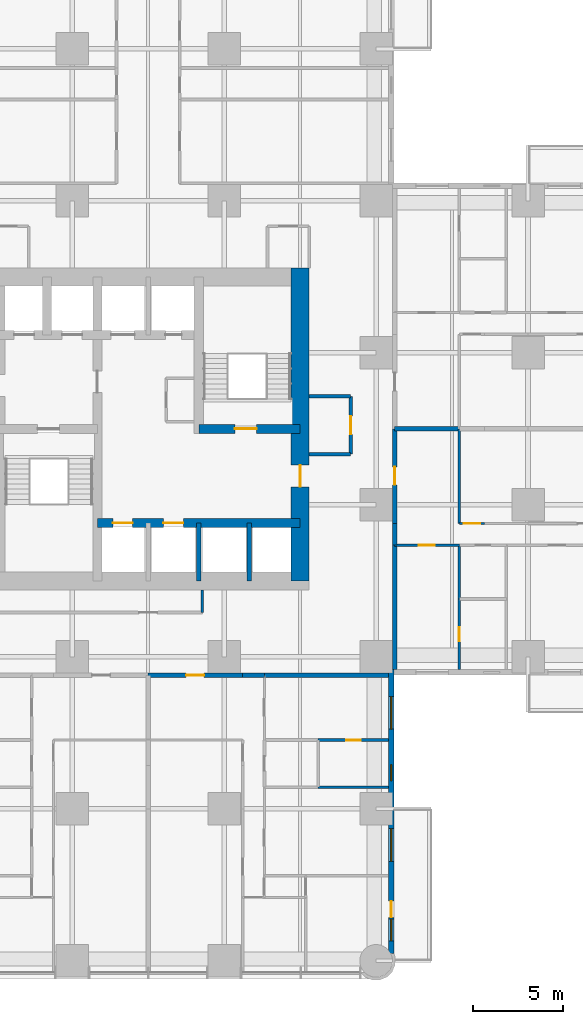
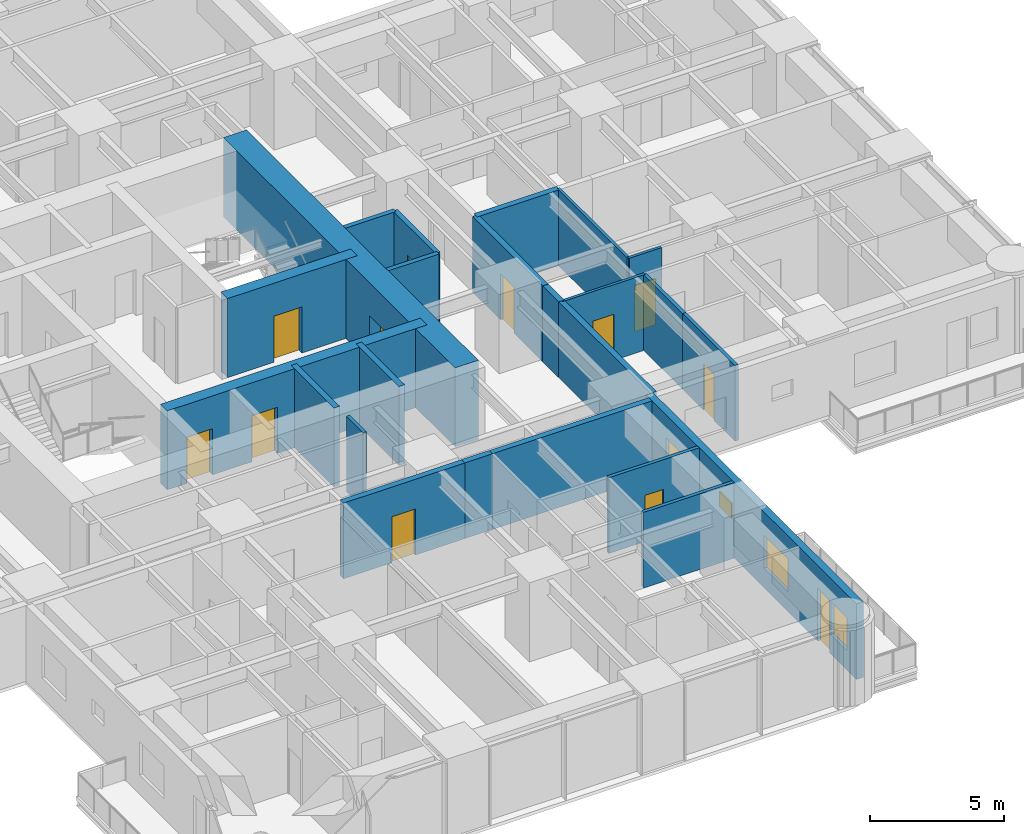
# One storey, part 10 of 17: 24 walls, 12 doors, 4 windows, 16 openings.
"""IFC4 building model written with IfcOpenShell, lengths in metres."""

from ifc_helpers import new_model, si_unit, direction, frame, frame_2d, origin, place, context, subcontext, project, spatial, rectangle, extrude, material, layer, layer_set, type_object, element, fill, save


model = new_model("IFC4")

# Units and contexts
model_context = context("Model", 3, precision=1e-05, world=origin(), true_north=direction((0.0, 1.0)))
body_context = subcontext(model_context, "Body", "Model", "MODEL_VIEW")
ifc_project = project(units=[si_unit("LENGTHUNIT", "METRE"), si_unit("AREAUNIT", "SQUARE_METRE"), si_unit("VOLUMEUNIT", "CUBIC_METRE"), si_unit("PLANEANGLEUNIT", "RADIAN"), si_unit("MASSUNIT", "GRAM", prefix="KILO")], contexts=[model_context])

# Site, building, storey
site_placement = place(None, origin())
site = spatial("IfcSite", under=ifc_project, at=site_placement, CompositionType="ELEMENT")
building_placement = place(site_placement, origin())
building = spatial("IfcBuilding", under=site, at=building_placement, Name="Torre Alcanfor", CompositionType="ELEMENT")
storey_placement = place(building_placement, frame((0.0, 0.0, 38.10009765625)))
storey = spatial("IfcBuildingStorey", under=building, at=storey_placement, Name="L08", CompositionType="ELEMENT", Elevation=38.10009765625)

# Wall, opening, door
ifc_material_1 = material(Name="Concrete block masonry, hollow blocks NMX-C-404 9 MPa", Category="masonry")
ifc_layer_1 = layer(ifc_material_1, 0.25)
ifc_layer_set_1 = layer_set([ifc_layer_1], Name="Apartment entrance wall 250 EI 60")
wall_type_1 = type_object("IfcWallType", Name="Apartment entrance wall 250 EI 60", PredefinedType="PARTITIONING", material=ifc_layer_set_1)
wall_1_placement = place(storey_placement, frame((43.02490234375, 29.39990234375, 0.0), z_axis=(0.0, 0.0, 1.0), x_axis=(0.0, -1.0, 0.0)))
wall_1 = element("IfcWall", 1, at=wall_1_placement, inside=storey, type_object=wall_type_1, Name="Partition L08-CORR / L08-E2-ZAG", PredefinedType="PARTITIONING", context=body_context, shape_type="SweptSolid", body=[
    extrude(rectangle(XDim=5.22900390625, YDim=0.25, at=frame_2d((2.614501953125, 0.0))), origin(), (0.0, 0.0, 1.0), 3.449951171875),
])
opening_1_placement = place(wall_1_placement, frame((2.10009765625, 0.0, 0.0)))
opening_1 = element("IfcOpeningElement", 2, at=opening_1_placement, cuts=wall_1, Name="Opening D-A1", PredefinedType="OPENING", context=body_context, shape_type="SweptSolid", body=[
    extrude(rectangle(XDim=1.0, YDim=2.10009765625, at=frame_2d((0.5, 1.050048828125))), frame((0.0, 0.135009765625, 0.0), z_axis=(0.0, -1.0, 0.0), x_axis=(1.0, 0.0, 0.0)), (0.0, 0.0, 1.0), 0.27001953125),
])
ifc_material_2 = material(Name="Galvanised steel sheet ASTM A653", Category="steel")
door_type_1 = type_object("IfcDoorType", Name="Apartment entrance door FD60 1000x2100", OperationType="SINGLE_SWING_LEFT", PredefinedType="DOOR", material=ifc_material_2)
door_1_placement = place(opening_1_placement, origin())
door_1 = element("IfcDoor", 3, at=door_1_placement, inside=storey, type_object=door_type_1, Name="Apartment entrance L08-E2", OperationType="SINGLE_SWING_LEFT", OverallHeight=2.10009765625, OverallWidth=1.0, PredefinedType="DOOR", context=body_context, shape_type="SweptSolid", body=[
    extrude(rectangle(XDim=1.0, YDim=2.10009765625, at=frame_2d((0.5, 1.050048828125))), frame((0.0, 0.02490234375, 0.0), z_axis=(0.0, -1.0, 0.0), x_axis=(1.0, 0.0, 0.0)), (0.0, 0.0, 1.0), 0.050048828125),
])
fill(opening_1, door_1)

# Walls
wall_2_placement = place(storey_placement, frame((43.02490234375, 24.1708984375, 0.0), z_axis=(0.0, 0.0, 1.0), x_axis=(0.0, -1.0, 0.0)))
element("IfcWall", 4, at=wall_2_placement, inside=storey, type_object=wall_type_1, Name="Partition L08-CORR / L08-E2-HALL", PredefinedType="PARTITIONING", context=body_context, shape_type="SweptSolid", body=[
    extrude(rectangle(XDim=1.199951171875, YDim=0.25, at=frame_2d((0.60009765625, 0.0))), origin(), (0.0, 0.0, 1.0), 3.449951171875),
])
wall_3_placement = place(storey_placement, frame((43.02490234375, 22.970947265625, 0.0), z_axis=(0.0, 0.0, 1.0), x_axis=(0.0, -1.0, 0.0)))
element("IfcWall", 5, at=wall_3_placement, inside=storey, type_object=wall_type_1, Name="Partition L08-CORR / L08-E2-SERV", PredefinedType="PARTITIONING", context=body_context, shape_type="SweptSolid", body=[
    extrude(rectangle(XDim=6.870849609375, YDim=0.25, at=frame_2d((3.435546875, 0.0))), origin(), (0.0, 0.0, 1.0), 3.449951171875),
])

# Wall, opening, door
wall_4_placement = place(storey_placement, frame((34.62890625, 15.77490234375, 0.0), z_axis=(0.0, 0.0, 1.0), x_axis=(-1.0, 0.0, 0.0)))
wall_4 = element("IfcWall", 6, at=wall_4_placement, inside=storey, type_object=wall_type_1, Name="Partition L08-CORR / L08-S1-ZAG", PredefinedType="PARTITIONING", context=body_context, shape_type="SweptSolid", body=[
    extrude(rectangle(XDim=5.22900390625, YDim=0.25, at=frame_2d((2.614501953125, 0.0))), origin(), (0.0, 0.0, 1.0), 3.449951171875),
])
opening_2_placement = place(wall_4_placement, frame((2.12890625, 0.0, 0.0)))
opening_2 = element("IfcOpeningElement", 7, at=opening_2_placement, cuts=wall_4, Name="Opening D-A1", PredefinedType="OPENING", context=body_context, shape_type="SweptSolid", body=[
    extrude(rectangle(XDim=1.0, YDim=2.10009765625, at=frame_2d((0.5, 1.050048828125))), frame((0.0, 0.135009765625, 0.0), z_axis=(0.0, -1.0, 0.0), x_axis=(1.0, 0.0, 0.0)), (0.0, 0.0, 1.0), 0.27001953125),
])
door_2_placement = place(opening_2_placement, origin())
door_2 = element("IfcDoor", 8, at=door_2_placement, inside=storey, type_object=door_type_1, Name="Apartment entrance L08-S1", OperationType="SINGLE_SWING_RIGHT", OverallHeight=2.10009765625, OverallWidth=1.0, PredefinedType="DOOR", context=body_context, shape_type="SweptSolid", body=[
    extrude(rectangle(XDim=1.0, YDim=2.10009765625, at=frame_2d((0.5, 1.050048828125))), frame((0.0, 0.02490234375, 0.0), z_axis=(0.0, -1.0, 0.0), x_axis=(1.0, 0.0, 0.0)), (0.0, 0.0, 1.0), 0.050048828125),
])
fill(opening_2, door_2)

# Walls
wall_5_placement = place(storey_placement, frame((35.8291015625, 15.77490234375, 0.0), z_axis=(0.0, 0.0, 1.0), x_axis=(-1.0, 0.0, 0.0)))
element("IfcWall", 9, at=wall_5_placement, inside=storey, type_object=wall_type_1, Name="Partition L08-CORR / L08-S1-HALL", PredefinedType="PARTITIONING", context=body_context, shape_type="SweptSolid", body=[
    extrude(rectangle(XDim=1.2001953125, YDim=0.25, at=frame_2d((0.60009765625, 0.0))), origin(), (0.0, 0.0, 1.0), 3.449951171875),
])
wall_6_placement = place(storey_placement, frame((42.699951171875, 15.77490234375, 0.0), z_axis=(0.0, 0.0, 1.0), x_axis=(-1.0, 0.0, 0.0)))
element("IfcWall", 10, at=wall_6_placement, inside=storey, type_object=wall_type_1, Name="Partition L08-CORR / L08-S1-SERV", PredefinedType="PARTITIONING", context=body_context, shape_type="SweptSolid", body=[
    extrude(rectangle(XDim=6.870849609375, YDim=0.25, at=frame_2d((3.435546875, 0.0))), origin(), (0.0, 0.0, 1.0), 3.449951171875),
])
ifc_material_3 = material(Name="Gypsum board on steel studs", Category="steel")
ifc_layer_2 = layer(ifc_material_3, 0.1201171875)
ifc_layer_set_2 = layer_set([ifc_layer_2], Name="Apartment partition 120")
wall_type_2 = type_object("IfcWallType", Name="Apartment partition 120", PredefinedType="PARTITIONING", material=ifc_layer_set_2)
wall_7_placement = place(storey_placement, frame((46.60009765625, 29.39990234375, 0.0), z_axis=(0.0, 0.0, 1.0), x_axis=(0.0, -1.0, 0.0)))
element("IfcWall", 11, at=wall_7_placement, inside=storey, type_object=wall_type_2, Name="Partition L08-E2-ZAG / L08-E2-LAUND", PredefinedType="PARTITIONING", context=body_context, shape_type="SweptSolid", body=[
    extrude(rectangle(XDim=5.22900390625, YDim=0.1201171875, at=frame_2d((2.614501953125, 0.0))), origin(), (0.0, 0.0, 1.0), 3.449951171875),
])

# Wall, opening, door
wall_8_placement = place(storey_placement, frame((48.0, 24.1708984375, 0.0), z_axis=(0.0, 0.0, 1.0), x_axis=(-1.0, 0.0, 0.0)))
wall_8 = element("IfcWall", 12, at=wall_8_placement, inside=storey, type_object=wall_type_2, Name="Partition L08-E2-LAUND / L08-E2-HALL", PredefinedType="PARTITIONING", context=body_context, shape_type="SweptSolid", body=[
    extrude(rectangle(XDim=1.39990234375, YDim=0.1201171875, at=frame_2d((0.699951171875, 0.0))), origin(), (0.0, 0.0, 1.0), 3.449951171875),
])
opening_3_placement = place(wall_8_placement, frame((0.25, 0.0, 0.0)))
opening_3 = element("IfcOpeningElement", 13, at=opening_3_placement, cuts=wall_8, Name="Opening D-R1", PredefinedType="OPENING", context=body_context, shape_type="SweptSolid", body=[
    extrude(rectangle(XDim=0.89990234375, YDim=2.10009765625, at=frame_2d((0.449951171875, 1.050048828125))), frame((0.0, 0.070068359375, 0.0), z_axis=(0.0, -1.0, 0.0), x_axis=(1.0, 0.0, 0.0)), (0.0, 0.0, 1.0), 0.14013671875),
])
ifc_material_4 = material(Name="Timber", Category="wood")
door_type_2 = type_object("IfcDoorType", Name="Internal door 900x2100", OperationType="SINGLE_SWING_LEFT", PredefinedType="DOOR", material=ifc_material_4)
door_3_placement = place(opening_3_placement, frame((0.89990234375, 0.0, 0.0), z_axis=(0.0, 0.0, 1.0), x_axis=(-1.0, 0.0, 0.0)))
door_3 = element("IfcDoor", 14, at=door_3_placement, inside=storey, type_object=door_type_2, Name="Door L08-E2 laund", OperationType="SINGLE_SWING_RIGHT", OverallHeight=2.10009765625, OverallWidth=0.89990234375, PredefinedType="DOOR", context=body_context, shape_type="SweptSolid", body=[
    extrude(rectangle(XDim=0.89990234375, YDim=2.10009765625, at=frame_2d((0.449951171875, 1.050048828125))), frame((0.0, 0.025146484375, 0.0), z_axis=(0.0, -1.0, 0.0), x_axis=(1.0, 0.0, 0.0)), (0.0, 0.0, 1.0), 0.050048828125),
])
fill(opening_3, door_3)

wall_9_placement = place(storey_placement, frame((46.60009765625, 22.970947265625, 0.0), z_axis=(0.0, 0.0, 1.0), x_axis=(-1.0, 0.0, 0.0)))
wall_9 = element("IfcWall", 15, at=wall_9_placement, inside=storey, type_object=wall_type_2, Name="Partition L08-E2-HALL / L08-E2-SERV", PredefinedType="PARTITIONING", context=body_context, shape_type="SweptSolid", body=[
    extrude(rectangle(XDim=3.5751953125, YDim=0.1201171875, at=frame_2d((1.78759765625, 0.0))), origin(), (0.0, 0.0, 1.0), 3.449951171875),
])
opening_4_placement = place(wall_9_placement, frame((1.35009765625, 0.0, 0.0)))
opening_4 = element("IfcOpeningElement", 16, at=opening_4_placement, cuts=wall_9, Name="Opening D-R1", PredefinedType="OPENING", context=body_context, shape_type="SweptSolid", body=[
    extrude(rectangle(XDim=0.89990234375, YDim=2.10009765625, at=frame_2d((0.449951171875, 1.050048828125))), frame((0.0, 0.070068359375, 0.0), z_axis=(0.0, -1.0, 0.0), x_axis=(1.0, 0.0, 0.0)), (0.0, 0.0, 1.0), 0.14013671875),
])
door_4_placement = place(opening_4_placement, origin())
door_4 = element("IfcDoor", 17, at=door_4_placement, inside=storey, type_object=door_type_2, Name="Door L08-E2 serv", OperationType="SINGLE_SWING_RIGHT", OverallHeight=2.10009765625, OverallWidth=0.89990234375, PredefinedType="DOOR", context=body_context, shape_type="SweptSolid", body=[
    extrude(rectangle(XDim=0.89990234375, YDim=2.10009765625, at=frame_2d((0.449951171875, 1.050048828125))), frame((0.0, 0.02490234375, 0.0), z_axis=(0.0, -1.0, 0.0), x_axis=(1.0, 0.0, 0.0)), (0.0, 0.0, 1.0), 0.050048828125),
])
fill(opening_4, door_4)

# Wall, openings, doors
ifc_material_5 = material(Name="Concrete f'c 70 MPa", Category="concrete")
ifc_layer_3 = layer(ifc_material_5, 0.5)
ifc_layer_set_3 = layer_set([ifc_layer_3], Name="Core inner wall 500 f'c70")
wall_type_3 = type_object("IfcWallType", Name="Core inner wall 500 f'c70", PredefinedType="SHEAR", material=ifc_layer_set_3)
wall_10_placement = place(storey_placement, frame((26.60009765625, 24.199951171875, 0.0), z_axis=(0.0, 0.0, 1.0), x_axis=(1.0, 0.0, 0.0)))
wall_10 = element("IfcWall", 18, at=wall_10_placement, inside=storey, type_object=wall_type_3, Name="Core wall Y242 L08", PredefinedType="SHEAR", context=body_context, shape_type="SweptSolid", body=[
    extrude(rectangle(XDim=11.199951171875, YDim=0.5, at=frame_2d((5.60009765625, 0.0))), origin(), (0.0, 0.0, 1.0), 3.599853515625),
])
opening_5_placement = place(wall_10_placement, frame((0.85009765625, 0.0, 0.0)))
opening_5 = element("IfcOpeningElement", 19, at=opening_5_placement, cuts=wall_10, Name="Opening LD1", PredefinedType="OPENING", context=body_context, shape_type="SweptSolid", body=[
    extrude(rectangle(XDim=1.10009765625, YDim=2.10009765625, at=frame_2d((0.550048828125, 1.050048828125))), frame((0.0, 0.260009765625, 0.0), z_axis=(0.0, -1.0, 0.0), x_axis=(1.0, 0.0, 0.0)), (0.0, 0.0, 1.0), 0.52001953125),
])
opening_6_placement = place(wall_10_placement, frame((3.64990234375, 0.0, 0.0)))
opening_6 = element("IfcOpeningElement", 20, at=opening_6_placement, cuts=wall_10, Name="Opening LD1", PredefinedType="OPENING", context=body_context, shape_type="SweptSolid", body=[
    extrude(rectangle(XDim=1.10009765625, YDim=2.10009765625, at=frame_2d((0.550048828125, 1.050048828125))), frame((0.0, 0.260009765625, 0.0), z_axis=(0.0, -1.0, 0.0), x_axis=(1.0, 0.0, 0.0)), (0.0, 0.0, 1.0), 0.52001953125),
])
ifc_material_6 = material(Name="Galvanised steel sheet ASTM A653", Category="steel")
door_type_3 = type_object("IfcDoorType", Name="Lift landing door 1100x2100", OperationType="DOUBLE_DOOR_SLIDING", PredefinedType="DOOR", material=ifc_material_6)
door_5_placement = place(opening_5_placement, origin())
door_5 = element("IfcDoor", 21, at=door_5_placement, inside=storey, type_object=door_type_3, Name="Lift landing door PA1 L08", OperationType="DOUBLE_DOOR_SLIDING", OverallHeight=2.10009765625, OverallWidth=1.10009765625, PredefinedType="DOOR", context=body_context, shape_type="SweptSolid", body=[
    extrude(rectangle(XDim=1.10009765625, YDim=2.10009765625, at=frame_2d((0.550048828125, 1.050048828125))), frame((0.0, 0.02490234375, 0.0), z_axis=(0.0, -1.0, 0.0), x_axis=(1.0, 0.0, 0.0)), (0.0, 0.0, 1.0), 0.050048828125),
])
fill(opening_5, door_5)
door_6_placement = place(opening_6_placement, origin())
door_6 = element("IfcDoor", 22, at=door_6_placement, inside=storey, type_object=door_type_3, Name="Lift landing door PA2 L08", OperationType="DOUBLE_DOOR_SLIDING", OverallHeight=2.10009765625, OverallWidth=1.10009765625, PredefinedType="DOOR", context=body_context, shape_type="SweptSolid", body=[
    extrude(rectangle(XDim=1.10009765625, YDim=2.10009765625, at=frame_2d((0.550048828125, 1.050048828125))), frame((0.0, 0.02490234375, 0.0), z_axis=(0.0, -1.0, 0.0), x_axis=(1.0, 0.0, 0.0)), (0.0, 0.0, 1.0), 0.050048828125),
])
fill(opening_6, door_6)

# Wall, opening, door
wall_11_placement = place(storey_placement, frame((32.199951171875, 29.39990234375, 0.0), z_axis=(0.0, 0.0, 1.0), x_axis=(1.0, 0.0, 0.0)))
wall_11 = element("IfcWall", 23, at=wall_11_placement, inside=storey, type_object=wall_type_3, Name="Core wall Y294E L08", PredefinedType="SHEAR", context=body_context, shape_type="SweptSolid", body=[
    extrude(rectangle(XDim=5.60009765625, YDim=0.5, at=frame_2d((2.800048828125, 0.0))), origin(), (0.0, 0.0, 1.0), 3.599853515625),
])
opening_7_placement = place(wall_11_placement, frame((2.0, 0.0, 0.0)))
opening_7 = element("IfcOpeningElement", 24, at=opening_7_placement, cuts=wall_11, Name="Opening D-S2", PredefinedType="OPENING", context=body_context, shape_type="SweptSolid", body=[
    extrude(rectangle(XDim=1.199951171875, YDim=2.10009765625, at=frame_2d((0.60009765625, 1.050048828125))), frame((0.0, 0.260009765625, 0.0), z_axis=(0.0, -1.0, 0.0), x_axis=(1.0, 0.0, 0.0)), (0.0, 0.0, 1.0), 0.52001953125),
])
ifc_material_7 = material(Name="Galvanised steel sheet ASTM A653", Category="steel")
door_type_4 = type_object("IfcDoorType", Name="Stair enclosure door FD120 1200x2100", OperationType="SINGLE_SWING_LEFT", PredefinedType="DOOR", material=ifc_material_7)
door_7_placement = place(opening_7_placement, origin())
door_7 = element("IfcDoor", 25, at=door_7_placement, inside=storey, type_object=door_type_4, Name="Stair S2 door L08", OperationType="SINGLE_SWING_LEFT", OverallHeight=2.10009765625, OverallWidth=1.199951171875, PredefinedType="DOOR", context=body_context, shape_type="SweptSolid", body=[
    extrude(rectangle(XDim=1.199951171875, YDim=2.10009765625, at=frame_2d((0.60009765625, 1.050048828125))), frame((0.0, 0.02490234375, 0.0), z_axis=(0.0, -1.0, 0.0), x_axis=(1.0, 0.0, 0.0)), (0.0, 0.0, 1.0), 0.050048828125),
])
fill(opening_7, door_7)

# Walls
ifc_material_8 = material(Name="Concrete f'c 70 MPa", Category="concrete")
ifc_layer_4 = layer(ifc_material_8, 0.25)
ifc_layer_set_4 = layer_set([ifc_layer_4], Name="Core shaft wall 250 f'c70")
wall_type_4 = type_object("IfcWallType", Name="Core shaft wall 250 f'c70", PredefinedType="SHEAR", material=ifc_layer_set_4)
for number, where, z_axis, x_axis, name in (
    (26, (32.199951171875, 21.0, 0.0), (0.0, 0.0, 1.0), (0.0, 1.0, 0.0), "Core wall X322S L08"),
    (27, (35.0, 21.0, 0.0), (0.0, 0.0, 1.0), (0.0, 1.0, 0.0), "Core wall X350S L08"),
):
    element("IfcWall", number, at=place(storey_placement, frame(where, z_axis=z_axis, x_axis=x_axis)), inside=storey, type_object=wall_type_4, Name=name, PredefinedType="SHEAR", context=body_context, shape_type="SweptSolid", body=[
        extrude(rectangle(XDim=3.199951171875, YDim=0.25, at=frame_2d((1.60009765625, 0.0))), origin(), (0.0, 0.0, 1.0), 3.599853515625),
    ])

# Wall, opening, door
ifc_material_9 = material(Name="Concrete f'c 70 MPa", Category="concrete")
ifc_layer_5 = layer(ifc_material_9, 1.0)
ifc_layer_set_5 = layer_set([ifc_layer_5], Name="Core wall 1000 f'c70")
wall_type_5 = type_object("IfcWallType", Name="Core wall 1000 f'c70", PredefinedType="SHEAR", material=ifc_layer_set_5)
wall_12_placement = place(storey_placement, frame((37.800048828125, 21.0, 0.0), z_axis=(0.0, 0.0, 1.0), x_axis=(0.0, 1.0, 0.0)))
wall_12 = element("IfcWall", 28, at=wall_12_placement, inside=storey, type_object=wall_type_5, Name="Core wall OUT-E L08", PredefinedType="SHEAR", context=body_context, shape_type="SweptSolid", body=[
    extrude(rectangle(XDim=17.300048828125, YDim=1.0, at=frame_2d((8.64990234375, 0.0))), origin(), (0.0, 0.0, 1.0), 3.599853515625),
])
opening_8_placement = place(wall_12_placement, frame((5.199951171875, 0.0, 0.0)))
opening_8 = element("IfcOpeningElement", 29, at=opening_8_placement, cuts=wall_12, Name="Opening D-L1", PredefinedType="OPENING", context=body_context, shape_type="SweptSolid", body=[
    extrude(rectangle(XDim=1.199951171875, YDim=2.10009765625, at=frame_2d((0.60009765625, 1.050048828125))), frame((0.0, 0.510009765625, 0.0), z_axis=(0.0, -1.0, 0.0), x_axis=(1.0, 0.0, 0.0)), (0.0, 0.0, 1.0), 1.02001953125),
])
ifc_material_10 = material(Name="Galvanised steel sheet ASTM A653", Category="steel")
door_type_5 = type_object("IfcDoorType", Name="Lobby door FD120 1200x2100", OperationType="SINGLE_SWING_LEFT", PredefinedType="DOOR", material=ifc_material_10)
door_8_placement = place(opening_8_placement, origin())
door_8 = element("IfcDoor", 30, at=door_8_placement, inside=storey, type_object=door_type_5, Name="Lift lobby entrance door L08", OperationType="SINGLE_SWING_LEFT", OverallHeight=2.10009765625, OverallWidth=1.199951171875, PredefinedType="DOOR", context=body_context, shape_type="SweptSolid", body=[
    extrude(rectangle(XDim=1.199951171875, YDim=2.10009765625, at=frame_2d((0.60009765625, 1.050048828125))), frame((0.0, 0.02490234375, 0.0), z_axis=(0.0, -1.0, 0.0), x_axis=(1.0, 0.0, 0.0)), (0.0, 0.0, 1.0), 0.050048828125),
])
fill(opening_8, door_8)

# Wall, openings, door, windows
ifc_material_11 = material(Name="Limestone cladding", Category="masonry")
ifc_layer_6 = layer(ifc_material_11, 0.0400390625, Name="Facing")
ifc_material_12 = material(Name="Ventilated air cavity")
ifc_layer_7 = layer(ifc_material_12, 0.02001953125, ventilated=True, Name="Ventilated joint")
ifc_material_13 = material(Name="Mineral wool insulation", Category="insulation")
ifc_layer_8 = layer(ifc_material_13, 0.10009765625, Name="Insulation")
ifc_material_14 = material(Name="Concrete f'c 35 MPa", Category="concrete")
ifc_layer_9 = layer(ifc_material_14, 0.139892578125, Name="Backing")
ifc_layer_set_6 = layer_set([ifc_layer_6, ifc_layer_7, ifc_layer_8, ifc_layer_9], Name="External wall stone-clad 300")
wall_type_6 = type_object("IfcWallType", Name="External wall stone-clad 300", PredefinedType="SOLIDWALL", material=ifc_layer_set_6)
wall_13_placement = place(storey_placement, frame((42.85009765625, 0.39990234375, 0.0), z_axis=(0.0, 0.0, 1.0), x_axis=(0.0, 1.0, 0.0)))
wall_13 = element("IfcWall", 31, at=wall_13_placement, inside=storey, type_object=wall_type_6, Name="External wall L08 6", PredefinedType="SOLIDWALL", context=body_context, shape_type="SweptSolid", body=[
    extrude(rectangle(XDim=15.7001953125, YDim=0.300048828125, at=frame_2d((7.85009765625, 0.0))), origin(), (0.0, 0.0, 1.0), 3.449951171875),
])
opening_9_placement = place(wall_13_placement, frame((12.39990234375, 0.0, 0.89990234375)))
opening_9 = element("IfcOpeningElement", 32, at=opening_9_placement, cuts=wall_13, Name="Opening W2", PredefinedType="OPENING", context=body_context, shape_type="SweptSolid", body=[
    extrude(rectangle(XDim=1.800048828125, YDim=1.5, at=frame_2d((0.89990234375, 0.75))), frame((0.0, 0.159912109375, 0.0), z_axis=(0.0, -1.0, 0.0), x_axis=(1.0, 0.0, 0.0)), (0.0, 0.0, 1.0), 0.320068359375),
])
opening_10_placement = place(wall_13_placement, frame((9.550048828125, 0.0, 1.5)))
opening_10 = element("IfcOpeningElement", 33, at=opening_10_placement, cuts=wall_13, Name="Opening W3", PredefinedType="OPENING", context=body_context, shape_type="SweptSolid", body=[
    extrude(rectangle(XDim=0.89990234375, YDim=0.699951171875, at=frame_2d((0.449951171875, 0.35009765625))), frame((0.0, 0.159912109375, 0.0), z_axis=(0.0, -1.0, 0.0), x_axis=(1.0, 0.0, 0.0)), (0.0, 0.0, 1.0), 0.320068359375),
])
opening_11_placement = place(wall_13_placement, frame((5.10009765625, 0.0, 0.89990234375)))
opening_11 = element("IfcOpeningElement", 34, at=opening_11_placement, cuts=wall_13, Name="Opening W2", PredefinedType="OPENING", context=body_context, shape_type="SweptSolid", body=[
    extrude(rectangle(XDim=1.800048828125, YDim=1.5, at=frame_2d((0.89990234375, 0.75))), frame((0.0, 0.159912109375, 0.0), z_axis=(0.0, -1.0, 0.0), x_axis=(1.0, 0.0, 0.0)), (0.0, 0.0, 1.0), 0.320068359375),
])
opening_12_placement = place(wall_13_placement, frame((2.0, 0.0, 0.0)))
opening_12 = element("IfcOpeningElement", 35, at=opening_12_placement, cuts=wall_13, Name="Opening D-B1", PredefinedType="OPENING", context=body_context, shape_type="SweptSolid", body=[
    extrude(rectangle(XDim=0.89990234375, YDim=2.39990234375, at=frame_2d((0.449951171875, 1.199951171875))), frame((0.0, 0.159912109375, 0.0), z_axis=(0.0, -1.0, 0.0), x_axis=(1.0, 0.0, 0.0)), (0.0, 0.0, 1.0), 0.320068359375),
])
opening_13_placement = place(wall_13_placement, frame((0.699951171875, 0.0, 0.89990234375)))
opening_13 = element("IfcOpeningElement", 36, at=opening_13_placement, cuts=wall_13, Name="Opening W4", PredefinedType="OPENING", context=body_context, shape_type="SweptSolid", body=[
    extrude(rectangle(XDim=1.199951171875, YDim=1.5, at=frame_2d((0.60009765625, 0.75))), frame((0.0, 0.159912109375, 0.0), z_axis=(0.0, -1.0, 0.0), x_axis=(1.0, 0.0, 0.0)), (0.0, 0.0, 1.0), 0.320068359375),
])
ifc_material_15 = material(Name="Aluminium and glass", Category="aluminium")
door_type_6 = type_object("IfcDoorType", Name="Balcony door glazed 900x2400", OperationType="SINGLE_SWING_LEFT", PredefinedType="DOOR", material=ifc_material_15)
door_9_placement = place(opening_12_placement, origin())
door_9 = element("IfcDoor", 37, at=door_9_placement, inside=storey, type_object=door_type_6, Name="Balcony door L08-S1", OperationType="SINGLE_SWING_RIGHT", OverallHeight=2.39990234375, OverallWidth=0.89990234375, PredefinedType="DOOR", context=body_context, shape_type="SweptSolid", body=[
    extrude(rectangle(XDim=0.89990234375, YDim=2.39990234375, at=frame_2d((0.449951171875, 1.199951171875))), frame((0.0, 0.02490234375, 0.0), z_axis=(0.0, -1.0, 0.0), x_axis=(1.0, 0.0, 0.0)), (0.0, 0.0, 1.0), 0.050048828125),
])
fill(opening_12, door_9)
ifc_material_16 = material(Name="Aluminium frame with clear double glazing", Category="aluminium")
window_type_1 = type_object("IfcWindowType", Name="Window bathroom 900x700", PartitioningType="SINGLE_PANEL", PredefinedType="WINDOW", material=ifc_material_16)
window_1_placement = place(opening_10_placement, origin())
window_1 = element("IfcWindow", 38, at=window_1_placement, inside=storey, type_object=window_type_1, Name="Window W3 L08-S1", OverallHeight=0.699951171875, OverallWidth=0.89990234375, PartitioningType="SINGLE_PANEL", PredefinedType="WINDOW", context=body_context, shape_type="SweptSolid", body=[
    extrude(rectangle(XDim=0.89990234375, YDim=0.699951171875, at=frame_2d((0.449951171875, 0.35009765625))), frame((0.0, 0.030029296875, 0.0), z_axis=(0.0, -1.0, 0.0), x_axis=(1.0, 0.0, 0.0)), (0.0, 0.0, 1.0), 0.06005859375),
])
fill(opening_10, window_1)
ifc_material_17 = material(Name="Aluminium frame with clear double glazing", Category="aluminium")
window_type_2 = type_object("IfcWindowType", Name="Window bedroom 1200x1500", PartitioningType="SINGLE_PANEL", PredefinedType="WINDOW", material=ifc_material_17)
window_2_placement = place(opening_13_placement, origin())
window_2 = element("IfcWindow", 39, at=window_2_placement, inside=storey, type_object=window_type_2, Name="Window W4 L08-S1", OverallHeight=1.5, OverallWidth=1.199951171875, PartitioningType="SINGLE_PANEL", PredefinedType="WINDOW", context=body_context, shape_type="SweptSolid", body=[
    extrude(rectangle(XDim=1.199951171875, YDim=1.5, at=frame_2d((0.60009765625, 0.75))), frame((0.0, 0.030029296875, 0.0), z_axis=(0.0, -1.0, 0.0), x_axis=(1.0, 0.0, 0.0)), (0.0, 0.0, 1.0), 0.06005859375),
])
fill(opening_13, window_2)
ifc_material_18 = material(Name="Aluminium frame with clear double glazing", Category="aluminium")
window_type_3 = type_object("IfcWindowType", Name="Window bedroom 1800x1500", PartitioningType="SINGLE_PANEL", PredefinedType="WINDOW", material=ifc_material_18)
window_3_placement = place(opening_9_placement, origin())
window_3 = element("IfcWindow", 40, at=window_3_placement, inside=storey, type_object=window_type_3, Name="Window W2 L08-S1", OverallHeight=1.5, OverallWidth=1.800048828125, PartitioningType="SINGLE_PANEL", PredefinedType="WINDOW", context=body_context, shape_type="SweptSolid", body=[
    extrude(rectangle(XDim=1.800048828125, YDim=1.5, at=frame_2d((0.89990234375, 0.75))), frame((0.0, 0.030029296875, 0.0), z_axis=(0.0, -1.0, 0.0), x_axis=(1.0, 0.0, 0.0)), (0.0, 0.0, 1.0), 0.06005859375),
])
fill(opening_9, window_3)
window_4_placement = place(opening_11_placement, origin())
window_4 = element("IfcWindow", 41, at=window_4_placement, inside=storey, type_object=window_type_3, Name="Window W2 L08-S1", OverallHeight=1.5, OverallWidth=1.800048828125, PartitioningType="SINGLE_PANEL", PredefinedType="WINDOW", context=body_context, shape_type="SweptSolid", body=[
    extrude(rectangle(XDim=1.800048828125, YDim=1.5, at=frame_2d((0.89990234375, 0.75))), frame((0.0, 0.030029296875, 0.0), z_axis=(0.0, -1.0, 0.0), x_axis=(1.0, 0.0, 0.0)), (0.0, 0.0, 1.0), 0.06005859375),
])
fill(opening_11, window_4)

# Walls
ifc_material_19 = material(Name="Concrete block masonry, hollow blocks NMX-C-404 9 MPa", Category="masonry")
ifc_layer_10 = layer(ifc_material_19, 0.25)
ifc_layer_set_7 = layer_set([ifc_layer_10], Name="Party wall 250 EI 60")
wall_type_7 = type_object("IfcWallType", Name="Party wall 250 EI 60", PredefinedType="PARTITIONING", material=ifc_layer_set_7)
wall_14_placement = place(storey_placement, frame((43.02490234375, 29.39990234375, 0.0), z_axis=(0.0, 0.0, 1.0), x_axis=(1.0, 0.0, 0.0)))
element("IfcWall", 42, at=wall_14_placement, inside=storey, type_object=wall_type_7, Name="Partition L08-E1-ZAG / L08-E2-ZAG", PredefinedType="PARTITIONING", context=body_context, shape_type="SweptSolid", body=[
    extrude(rectangle(XDim=3.5751953125, YDim=0.25, at=frame_2d((1.78759765625, 0.0))), origin(), (0.0, 0.0, 1.0), 3.449951171875),
])
ifc_material_20 = material(Name="Concrete block masonry, hollow blocks NMX-C-404 9 MPa", Category="masonry")
ifc_layer_11 = layer(ifc_material_20, 0.199951171875)
ifc_layer_set_8 = layer_set([ifc_layer_11], Name="Plant room wall 200 EI 60")
wall_type_8 = type_object("IfcWallType", Name="Plant room wall 200 EI 60", PredefinedType="PARTITIONING", material=ifc_layer_set_8)
wall_15_placement = place(storey_placement, frame((38.300048828125, 28.0, 0.0), z_axis=(0.0, 0.0, 1.0), x_axis=(1.0, 0.0, 0.0)))
element("IfcWall", 43, at=wall_15_placement, inside=storey, type_object=wall_type_8, Name="Partition L08-CORR / L08-G03", PredefinedType="PARTITIONING", context=body_context, shape_type="SweptSolid", body=[
    extrude(rectangle(XDim=2.300048828125, YDim=0.199951171875, at=frame_2d((1.14990234375, 0.0))), origin(), (0.0, 0.0, 1.0), 3.449951171875),
])

# Wall, opening, door
wall_16_placement = place(storey_placement, frame((40.60009765625, 28.0, 0.0), z_axis=(0.0, 0.0, 1.0), x_axis=(0.0, 1.0, 0.0)))
wall_16 = element("IfcWall", 44, at=wall_16_placement, inside=storey, type_object=wall_type_8, Name="Partition L08-CORR / L08-G03", PredefinedType="PARTITIONING", context=body_context, shape_type="SweptSolid", body=[
    extrude(rectangle(XDim=3.199951171875, YDim=0.199951171875, at=frame_2d((1.60009765625, 0.0))), origin(), (0.0, 0.0, 1.0), 3.449951171875),
])
opening_14_placement = place(wall_16_placement, frame((1.10009765625, 0.0, 0.0)))
opening_14 = element("IfcOpeningElement", 45, at=opening_14_placement, cuts=wall_16, Name="Opening D-K1", PredefinedType="OPENING", context=body_context, shape_type="SweptSolid", body=[
    extrude(rectangle(XDim=1.0, YDim=2.10009765625, at=frame_2d((0.5, 1.050048828125))), frame((0.0, 0.10986328125, 0.0), z_axis=(0.0, -1.0, 0.0), x_axis=(1.0, 0.0, 0.0)), (0.0, 0.0, 1.0), 0.219970703125),
])
ifc_material_21 = material(Name="Galvanised steel sheet ASTM A653", Category="steel")
door_type_7 = type_object("IfcDoorType", Name="Core room door FD60 1000x2100", OperationType="SINGLE_SWING_LEFT", PredefinedType="DOOR", material=ifc_material_21)
door_10_placement = place(opening_14_placement, origin())
door_10 = element("IfcDoor", 46, at=door_10_placement, inside=storey, type_object=door_type_7, Name="Door L08-G03 refuse and recycling store", OperationType="SINGLE_SWING_LEFT", OverallHeight=2.10009765625, OverallWidth=1.0, PredefinedType="DOOR", context=body_context, shape_type="SweptSolid", body=[
    extrude(rectangle(XDim=1.0, YDim=2.10009765625, at=frame_2d((0.5, 1.050048828125))), frame((0.0, 0.02490234375, 0.0), z_axis=(0.0, -1.0, 0.0), x_axis=(1.0, 0.0, 0.0)), (0.0, 0.0, 1.0), 0.050048828125),
])
fill(opening_14, door_10)

# Walls
wall_17_placement = place(storey_placement, frame((40.60009765625, 31.199951171875, 0.0), z_axis=(0.0, 0.0, 1.0), x_axis=(-1.0, 0.0, 0.0)))
element("IfcWall", 47, at=wall_17_placement, inside=storey, type_object=wall_type_8, Name="Partition L08-CORR / L08-G03", PredefinedType="PARTITIONING", context=body_context, shape_type="SweptSolid", body=[
    extrude(rectangle(XDim=2.300048828125, YDim=0.199951171875, at=frame_2d((1.14990234375, 0.0))), origin(), (0.0, 0.0, 1.0), 3.449951171875),
])
ifc_material_22 = material(Name="Concrete block masonry, hollow blocks NMX-C-404 9 MPa", Category="masonry")
ifc_layer_12 = layer(ifc_material_22, 0.14990234375)
ifc_layer_set_9 = layer_set([ifc_layer_12], Name="Residents' room partition 150")
wall_type_9 = type_object("IfcWallType", Name="Residents' room partition 150", PredefinedType="PARTITIONING", material=ifc_layer_set_9)
wall_18_placement = place(storey_placement, frame((32.39990234375, 19.25, 0.0), z_axis=(0.0, 0.0, 1.0), x_axis=(0.0, 1.0, 0.0)))
element("IfcWall", 48, at=wall_18_placement, inside=storey, type_object=wall_type_9, Name="Partition L08-CORR / L08-G04", PredefinedType="PARTITIONING", context=body_context, shape_type="SweptSolid", body=[
    extrude(rectangle(XDim=1.25, YDim=0.14990234375, at=frame_2d((0.625, 0.0))), origin(), (0.0, 0.0, 1.0), 3.449951171875),
])
ifc_material_23 = material(Name="Cement board on steel studs", Category="steel")
ifc_layer_13 = layer(ifc_material_23, 0.14990234375)
ifc_layer_set_10 = layer_set([ifc_layer_13], Name="Wet area partition 150")
wall_type_10 = type_object("IfcWallType", Name="Wet area partition 150", PredefinedType="PARTITIONING", material=ifc_layer_set_10)
wall_19_placement = place(storey_placement, frame((46.60009765625, 22.970947265625, 0.0), z_axis=(0.0, 0.0, 1.0), x_axis=(0.0, -1.0, 0.0)))
element("IfcWall", 49, at=wall_19_placement, inside=storey, type_object=wall_type_10, Name="Partition L08-E2-SERV / L08-E2-BATH1", PredefinedType="PARTITIONING", context=body_context, shape_type="SweptSolid", body=[
    extrude(rectangle(XDim=2.970947265625, YDim=0.14990234375, at=frame_2d((1.4853515625, 0.0))), origin(), (0.0, 0.0, 1.0), 3.449951171875),
])

# Wall, opening, door
wall_20_placement = place(storey_placement, frame((46.60009765625, 20.0, 0.0), z_axis=(0.0, 0.0, 1.0), x_axis=(0.0, -1.0, 0.0)))
wall_20 = element("IfcWall", 50, at=wall_20_placement, inside=storey, type_object=wall_type_10, Name="Partition L08-E2-SERV / L08-E2-SBATH", PredefinedType="PARTITIONING", context=body_context, shape_type="SweptSolid", body=[
    extrude(rectangle(XDim=3.89990234375, YDim=0.14990234375, at=frame_2d((1.949951171875, 0.0))), origin(), (0.0, 0.0, 1.0), 3.449951171875),
])
opening_15_placement = place(wall_20_placement, frame((1.550048828125, 0.0, 0.0)))
opening_15 = element("IfcOpeningElement", 51, at=opening_15_placement, cuts=wall_20, Name="Opening D-R2", PredefinedType="OPENING", context=body_context, shape_type="SweptSolid", body=[
    extrude(rectangle(XDim=0.800048828125, YDim=2.10009765625, at=frame_2d((0.39990234375, 1.050048828125))), frame((0.0, 0.0849609375, 0.0), z_axis=(0.0, -1.0, 0.0), x_axis=(1.0, 0.0, 0.0)), (0.0, 0.0, 1.0), 0.169921875),
])
ifc_material_24 = material(Name="Timber", Category="wood")
door_type_8 = type_object("IfcDoorType", Name="Bathroom door 800x2100", OperationType="SINGLE_SWING_LEFT", PredefinedType="DOOR", material=ifc_material_24)
door_11_placement = place(opening_15_placement, origin())
door_11 = element("IfcDoor", 52, at=door_11_placement, inside=storey, type_object=door_type_8, Name="Door L08-E2 sbath", OperationType="SINGLE_SWING_LEFT", OverallHeight=2.10009765625, OverallWidth=0.800048828125, PredefinedType="DOOR", context=body_context, shape_type="SweptSolid", body=[
    extrude(rectangle(XDim=0.800048828125, YDim=2.10009765625, at=frame_2d((0.39990234375, 1.050048828125))), frame((0.0, 0.02490234375, 0.0), z_axis=(0.0, -1.0, 0.0), x_axis=(1.0, 0.0, 0.0)), (0.0, 0.0, 1.0), 0.050048828125),
])
fill(opening_15, door_11)

wall_21_placement = place(storey_placement, frame((38.800048828125, 12.199951171875, 0.0), z_axis=(0.0, 0.0, 1.0), x_axis=(1.0, 0.0, 0.0)))
wall_21 = element("IfcWall", 53, at=wall_21_placement, inside=storey, type_object=wall_type_10, Name="Partition L08-S1-SERV / L08-S1-SBATH", PredefinedType="PARTITIONING", context=body_context, shape_type="SweptSolid", body=[
    extrude(rectangle(XDim=3.89990234375, YDim=0.14990234375, at=frame_2d((1.949951171875, 0.0))), origin(), (0.0, 0.0, 1.0), 3.449951171875),
])
opening_16_placement = place(wall_21_placement, frame((1.550048828125, 0.0, 0.0)))
opening_16 = element("IfcOpeningElement", 54, at=opening_16_placement, cuts=wall_21, Name="Opening D-R2", PredefinedType="OPENING", context=body_context, shape_type="SweptSolid", body=[
    extrude(rectangle(XDim=0.800048828125, YDim=2.10009765625, at=frame_2d((0.39990234375, 1.050048828125))), frame((0.0, 0.0849609375, 0.0), z_axis=(0.0, -1.0, 0.0), x_axis=(1.0, 0.0, 0.0)), (0.0, 0.0, 1.0), 0.169921875),
])
door_12_placement = place(opening_16_placement, frame((0.800048828125, 0.0, 0.0), z_axis=(0.0, 0.0, 1.0), x_axis=(-1.0, 0.0, 0.0)))
door_12 = element("IfcDoor", 55, at=door_12_placement, inside=storey, type_object=door_type_8, Name="Door L08-S1 sbath", OperationType="SINGLE_SWING_RIGHT", OverallHeight=2.10009765625, OverallWidth=0.800048828125, PredefinedType="DOOR", context=body_context, shape_type="SweptSolid", body=[
    extrude(rectangle(XDim=0.800048828125, YDim=2.10009765625, at=frame_2d((0.400146484375, 1.050048828125))), frame((0.0, 0.025146484375, 0.0), z_axis=(0.0, -1.0, 0.0), x_axis=(1.0, 0.0, 0.0)), (0.0, 0.0, 1.0), 0.050048828125),
])
fill(opening_16, door_12)

# Wall
wall_22_placement = place(storey_placement, frame((38.800048828125, 9.60009765625, 0.0), z_axis=(0.0, 0.0, 1.0), x_axis=(1.0, 0.0, 0.0)))
element("IfcWall", 56, at=wall_22_placement, inside=storey, type_object=wall_type_10, Name="Partition L08-S1-SBATH / L08-S1-BED3", PredefinedType="PARTITIONING", context=body_context, shape_type="SweptSolid", body=[
    extrude(rectangle(XDim=3.89990234375, YDim=0.14990234375, at=frame_2d((1.949951171875, 0.0))), origin(), (0.0, 0.0, 1.0), 3.449951171875),
])

save(model, "model.ifc")
